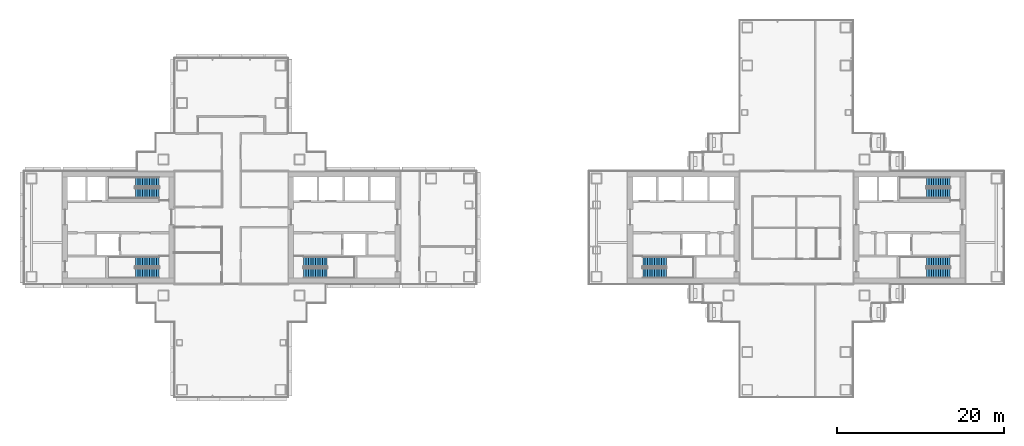
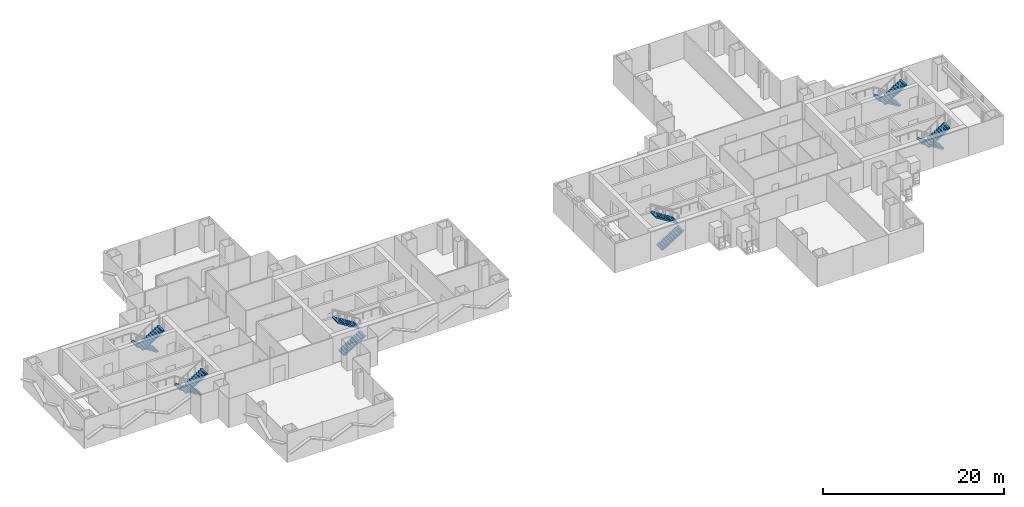
# One storey, part 15 of 19: 12 stair flights, 6 elements without a shape of their own.
"""IFC4 building model written with IfcOpenShell, lengths in metres."""

from ifc_helpers import new_model, si_unit, direction, frame, origin, place, context, subcontext, project, spatial, polyline, outline, extrude, material, type_object, element, aggregate, save


model = new_model("IFC4")

# Units and contexts
model_context = context("Model", 3, precision=1e-05, world=origin(), true_north=direction((0.0, 1.0)))
body_context = subcontext(model_context, "Body", "Model", "MODEL_VIEW")
ifc_project = project(units=[si_unit("LENGTHUNIT", "METRE"), si_unit("AREAUNIT", "SQUARE_METRE"), si_unit("VOLUMEUNIT", "CUBIC_METRE"), si_unit("PLANEANGLEUNIT", "RADIAN"), si_unit("MASSUNIT", "GRAM", prefix="KILO")], contexts=[model_context])

# Site, building, storey
site_placement = place(None, origin())
site = spatial("IfcSite", under=ifc_project, at=site_placement, CompositionType="ELEMENT")
building_placement = place(site_placement, origin())
building = spatial("IfcBuilding", under=site, at=building_placement, Name="Shamsa Quay Exchange Towers", CompositionType="ELEMENT")
storey_placement = place(building_placement, frame((0.0, 0.0, 97.5)))
storey = spatial("IfcBuildingStorey", under=building, at=storey_placement, Name="L22", CompositionType="ELEMENT", Elevation=97.5)

# Stair, stair flights
ifc_material = material(Name="Concrete C40/50", Category="concrete")
stair_type = type_object("IfcStairType", Name="EXIT STAIR 22 RISERS 177 MM", PredefinedType="HALF_TURN_STAIR", material=ifc_material)
stair_1_placement = place(storey_placement, origin())
stair_1 = element("IfcStair", 1, at=stair_1_placement, inside=storey, type_object=stair_type, Name="L22 Exit stair ST1", PredefinedType="HALF_TURN_STAIR")
stair_flight_type = type_object("IfcStairFlightType", Name="EXIT STAIR FLIGHT 11 RISERS 177 MM", PredefinedType="STRAIGHT", material=ifc_material)
stair_flight_1_placement = place(storey_placement, frame((-25.10009765625, -5.449951171875, 0.0)))
stair_flight_1 = element("IfcStairFlight", 2, at=stair_flight_1_placement, type_object=stair_flight_type, Name="ST1 flight 1", NumberOfRisers=11, NumberOfTreads=10, PredefinedType="STRAIGHT", RiserHeight=0.177272727, TreadLength=0.28, context=body_context, shape_type="SweptSolid", body=[
    extrude(outline(polyline([(0.0, 0.0), (0.0, 0.17724609375), (0.280029296875, 0.17724609375), (0.280029296875, 0.3544921875), (0.56005859375, 0.3544921875), (0.56005859375, 0.53173828125), (0.840087890625, 0.53173828125), (0.840087890625, 0.708984375), (1.1201171875, 0.708984375), (1.1201171875, 0.886474609375), (1.39990234375, 0.886474609375), (1.39990234375, 1.063720703125), (1.679931640625, 1.063720703125), (1.679931640625, 1.240966796875), (1.9599609375, 1.240966796875), (1.9599609375, 1.418212890625), (2.239990234375, 1.418212890625), (2.239990234375, 1.595458984375), (2.52001953125, 1.595458984375), (2.52001953125, 1.772705078125), (2.800048828125, 1.772705078125), (2.800048828125, 1.949951171875), (2.800048828125, 1.607177734375), (0.261474609375, 0.0), (0.0, 0.0)])), frame((0.0, 0.60009765625, 0.0), z_axis=(0.0, -1.0, 0.0), x_axis=(1.0, 0.0, 0.0)), (0.0, 0.0, 1.0), 1.199951171875),
])
stair_flight_2_placement = place(storey_placement, frame((-22.300048828125, -4.10009765625, 1.949951171875), z_axis=(0.0, 0.0, 1.0), x_axis=(-1.0, 0.0, 0.0)))
stair_flight_2 = element("IfcStairFlight", 3, at=stair_flight_2_placement, type_object=stair_flight_type, Name="ST1 flight 2", NumberOfRisers=11, NumberOfTreads=10, PredefinedType="STRAIGHT", RiserHeight=0.177272727, TreadLength=0.28, context=body_context, shape_type="SweptSolid", body=[
    extrude(outline(polyline([(0.0, 0.0), (0.0, 0.17724609375), (0.280029296875, 0.17724609375), (0.280029296875, 0.3544921875), (0.56005859375, 0.3544921875), (0.56005859375, 0.53173828125), (0.840087890625, 0.53173828125), (0.840087890625, 0.708984375), (1.1201171875, 0.708984375), (1.1201171875, 0.886474609375), (1.39990234375, 0.886474609375), (1.39990234375, 1.063720703125), (1.679931640625, 1.063720703125), (1.679931640625, 1.240966796875), (1.9599609375, 1.240966796875), (1.9599609375, 1.418212890625), (2.239990234375, 1.418212890625), (2.239990234375, 1.595458984375), (2.52001953125, 1.595458984375), (2.52001953125, 1.772705078125), (2.800048828125, 1.772705078125), (2.800048828125, 1.949951171875), (2.800048828125, 1.607177734375), (0.261474609375, 0.0), (0.0, 0.0)])), frame((0.0, 0.60009765625, 0.0), z_axis=(0.0, -1.0, 0.0), x_axis=(1.0, 0.0, 0.0)), (0.0, 0.0, 1.0), 1.199951171875),
])
aggregate(stair_1, [stair_flight_1, stair_flight_2])

stair_2_placement = place(storey_placement, origin())
stair_2 = element("IfcStair", 4, at=stair_2_placement, inside=storey, type_object=stair_type, Name="L22 Exit stair ST2", PredefinedType="HALF_TURN_STAIR")
stair_flight_3_placement = place(storey_placement, frame((-42.39990234375, -4.10009765625, 0.0), z_axis=(0.0, 0.0, 1.0), x_axis=(-1.0, 0.0, 0.0)))
stair_flight_3 = element("IfcStairFlight", 5, at=stair_flight_3_placement, type_object=stair_flight_type, Name="ST2 flight 1", NumberOfRisers=11, NumberOfTreads=10, PredefinedType="STRAIGHT", RiserHeight=0.177272727, TreadLength=0.28, context=body_context, shape_type="SweptSolid", body=[
    extrude(outline(polyline([(0.0, 0.0), (0.0, 0.17724609375), (0.280029296875, 0.17724609375), (0.280029296875, 0.3544921875), (0.56005859375, 0.3544921875), (0.56005859375, 0.53173828125), (0.840087890625, 0.53173828125), (0.840087890625, 0.708984375), (1.1201171875, 0.708984375), (1.1201171875, 0.886474609375), (1.39990234375, 0.886474609375), (1.39990234375, 1.063720703125), (1.679931640625, 1.063720703125), (1.679931640625, 1.240966796875), (1.9599609375, 1.240966796875), (1.9599609375, 1.418212890625), (2.239990234375, 1.418212890625), (2.239990234375, 1.595458984375), (2.52001953125, 1.595458984375), (2.52001953125, 1.772705078125), (2.800048828125, 1.772705078125), (2.800048828125, 1.949951171875), (2.800048828125, 1.607177734375), (0.261474609375, 0.0), (0.0, 0.0)])), frame((0.0, 0.60009765625, 0.0), z_axis=(0.0, -1.0, 0.0), x_axis=(1.0, 0.0, 0.0)), (0.0, 0.0, 1.0), 1.199951171875),
])
stair_flight_4_placement = place(storey_placement, frame((-45.199951171875, -5.449951171875, 1.949951171875)))
stair_flight_4 = element("IfcStairFlight", 6, at=stair_flight_4_placement, type_object=stair_flight_type, Name="ST2 flight 2", NumberOfRisers=11, NumberOfTreads=10, PredefinedType="STRAIGHT", RiserHeight=0.177272727, TreadLength=0.28, context=body_context, shape_type="SweptSolid", body=[
    extrude(outline(polyline([(0.0, 0.0), (0.0, 0.17724609375), (0.280029296875, 0.17724609375), (0.280029296875, 0.3544921875), (0.56005859375, 0.3544921875), (0.56005859375, 0.53173828125), (0.840087890625, 0.53173828125), (0.840087890625, 0.708984375), (1.1201171875, 0.708984375), (1.1201171875, 0.886474609375), (1.39990234375, 0.886474609375), (1.39990234375, 1.063720703125), (1.679931640625, 1.063720703125), (1.679931640625, 1.240966796875), (1.9599609375, 1.240966796875), (1.9599609375, 1.418212890625), (2.239990234375, 1.418212890625), (2.239990234375, 1.595458984375), (2.52001953125, 1.595458984375), (2.52001953125, 1.772705078125), (2.800048828125, 1.772705078125), (2.800048828125, 1.949951171875), (2.800048828125, 1.607177734375), (0.261474609375, 0.0), (0.0, 0.0)])), frame((0.0, 0.60009765625, 0.0), z_axis=(0.0, -1.0, 0.0), x_axis=(1.0, 0.0, 0.0)), (0.0, 0.0, 1.0), 1.199951171875),
])
aggregate(stair_2, [stair_flight_3, stair_flight_4])

stair_3_placement = place(storey_placement, origin())
stair_3 = element("IfcStair", 7, at=stair_3_placement, inside=storey, type_object=stair_type, Name="L22 Exit stair ST3", PredefinedType="HALF_TURN_STAIR")
stair_flight_5_placement = place(storey_placement, frame((-42.39990234375, 5.449951171875, 0.0), z_axis=(0.0, 0.0, 1.0), x_axis=(-1.0, 0.0, 0.0)))
stair_flight_5 = element("IfcStairFlight", 8, at=stair_flight_5_placement, type_object=stair_flight_type, Name="ST3 flight 1", NumberOfRisers=11, NumberOfTreads=10, PredefinedType="STRAIGHT", RiserHeight=0.177272727, TreadLength=0.28, context=body_context, shape_type="SweptSolid", body=[
    extrude(outline(polyline([(0.0, 0.0), (0.0, 0.17724609375), (0.280029296875, 0.17724609375), (0.280029296875, 0.3544921875), (0.56005859375, 0.3544921875), (0.56005859375, 0.53173828125), (0.840087890625, 0.53173828125), (0.840087890625, 0.708984375), (1.1201171875, 0.708984375), (1.1201171875, 0.886474609375), (1.39990234375, 0.886474609375), (1.39990234375, 1.063720703125), (1.679931640625, 1.063720703125), (1.679931640625, 1.240966796875), (1.9599609375, 1.240966796875), (1.9599609375, 1.418212890625), (2.239990234375, 1.418212890625), (2.239990234375, 1.595458984375), (2.52001953125, 1.595458984375), (2.52001953125, 1.772705078125), (2.800048828125, 1.772705078125), (2.800048828125, 1.949951171875), (2.800048828125, 1.607177734375), (0.261474609375, 0.0), (0.0, 0.0)])), frame((0.0, 0.60009765625, 0.0), z_axis=(0.0, -1.0, 0.0), x_axis=(1.0, 0.0, 0.0)), (0.0, 0.0, 1.0), 1.199951171875),
])
stair_flight_6_placement = place(storey_placement, frame((-45.199951171875, 4.10009765625, 1.949951171875)))
stair_flight_6 = element("IfcStairFlight", 9, at=stair_flight_6_placement, type_object=stair_flight_type, Name="ST3 flight 2", NumberOfRisers=11, NumberOfTreads=10, PredefinedType="STRAIGHT", RiserHeight=0.177272727, TreadLength=0.28, context=body_context, shape_type="SweptSolid", body=[
    extrude(outline(polyline([(0.0, 0.0), (0.0, 0.17724609375), (0.280029296875, 0.17724609375), (0.280029296875, 0.3544921875), (0.56005859375, 0.3544921875), (0.56005859375, 0.53173828125), (0.840087890625, 0.53173828125), (0.840087890625, 0.708984375), (1.1201171875, 0.708984375), (1.1201171875, 0.886474609375), (1.39990234375, 0.886474609375), (1.39990234375, 1.063720703125), (1.679931640625, 1.063720703125), (1.679931640625, 1.240966796875), (1.9599609375, 1.240966796875), (1.9599609375, 1.418212890625), (2.239990234375, 1.418212890625), (2.239990234375, 1.595458984375), (2.52001953125, 1.595458984375), (2.52001953125, 1.772705078125), (2.800048828125, 1.772705078125), (2.800048828125, 1.949951171875), (2.800048828125, 1.607177734375), (0.261474609375, 0.0), (0.0, 0.0)])), frame((0.0, 0.60009765625, 0.0), z_axis=(0.0, -1.0, 0.0), x_axis=(1.0, 0.0, 0.0)), (0.0, 0.0, 1.0), 1.199951171875),
])
aggregate(stair_3, [stair_flight_5, stair_flight_6])

stair_4_placement = place(storey_placement, origin())
stair_4 = element("IfcStair", 10, at=stair_4_placement, inside=storey, type_object=stair_type, Name="L22 Exit stair ST4", PredefinedType="HALF_TURN_STAIR")
stair_flight_7_placement = place(storey_placement, frame((15.39990234375, -5.449951171875, 0.0)))
stair_flight_7 = element("IfcStairFlight", 11, at=stair_flight_7_placement, type_object=stair_flight_type, Name="ST4 flight 1", NumberOfRisers=11, NumberOfTreads=10, PredefinedType="STRAIGHT", RiserHeight=0.177272727, TreadLength=0.28, context=body_context, shape_type="SweptSolid", body=[
    extrude(outline(polyline([(0.0, 0.0), (0.0, 0.17724609375), (0.280029296875, 0.17724609375), (0.280029296875, 0.3544921875), (0.56005859375, 0.3544921875), (0.56005859375, 0.53173828125), (0.840087890625, 0.53173828125), (0.840087890625, 0.708984375), (1.1201171875, 0.708984375), (1.1201171875, 0.886474609375), (1.39990234375, 0.886474609375), (1.39990234375, 1.063720703125), (1.679931640625, 1.063720703125), (1.679931640625, 1.240966796875), (1.9599609375, 1.240966796875), (1.9599609375, 1.418212890625), (2.239990234375, 1.418212890625), (2.239990234375, 1.595458984375), (2.52001953125, 1.595458984375), (2.52001953125, 1.772705078125), (2.800048828125, 1.772705078125), (2.800048828125, 1.949951171875), (2.800048828125, 1.607177734375), (0.261474609375, 0.0), (0.0, 0.0)])), frame((0.0, 0.60009765625, 0.0), z_axis=(0.0, -1.0, 0.0), x_axis=(1.0, 0.0, 0.0)), (0.0, 0.0, 1.0), 1.199951171875),
])
stair_flight_8_placement = place(storey_placement, frame((18.199951171875, -4.10009765625, 1.949951171875), z_axis=(0.0, 0.0, 1.0), x_axis=(-1.0, 0.0, 0.0)))
stair_flight_8 = element("IfcStairFlight", 12, at=stair_flight_8_placement, type_object=stair_flight_type, Name="ST4 flight 2", NumberOfRisers=11, NumberOfTreads=10, PredefinedType="STRAIGHT", RiserHeight=0.177272727, TreadLength=0.28, context=body_context, shape_type="SweptSolid", body=[
    extrude(outline(polyline([(0.0, 0.0), (0.0, 0.17724609375), (0.280029296875, 0.17724609375), (0.280029296875, 0.3544921875), (0.56005859375, 0.3544921875), (0.56005859375, 0.53173828125), (0.840087890625, 0.53173828125), (0.840087890625, 0.708984375), (1.1201171875, 0.708984375), (1.1201171875, 0.886474609375), (1.39990234375, 0.886474609375), (1.39990234375, 1.063720703125), (1.679931640625, 1.063720703125), (1.679931640625, 1.240966796875), (1.9599609375, 1.240966796875), (1.9599609375, 1.418212890625), (2.239990234375, 1.418212890625), (2.239990234375, 1.595458984375), (2.52001953125, 1.595458984375), (2.52001953125, 1.772705078125), (2.800048828125, 1.772705078125), (2.800048828125, 1.949951171875), (2.800048828125, 1.607177734375), (0.261474609375, 0.0), (0.0, 0.0)])), frame((0.0, 0.60009765625, 0.0), z_axis=(0.0, -1.0, 0.0), x_axis=(1.0, 0.0, 0.0)), (0.0, 0.0, 1.0), 1.199951171875),
])
aggregate(stair_4, [stair_flight_7, stair_flight_8])

stair_5_placement = place(storey_placement, origin())
stair_5 = element("IfcStair", 13, at=stair_5_placement, inside=storey, type_object=stair_type, Name="L22 Exit stair ST5", PredefinedType="HALF_TURN_STAIR")
stair_flight_9_placement = place(storey_placement, frame((52.10009765625, -4.10009765625, 0.0), z_axis=(0.0, 0.0, 1.0), x_axis=(-1.0, 0.0, 0.0)))
stair_flight_9 = element("IfcStairFlight", 14, at=stair_flight_9_placement, type_object=stair_flight_type, Name="ST5 flight 1", NumberOfRisers=11, NumberOfTreads=10, PredefinedType="STRAIGHT", RiserHeight=0.177272727, TreadLength=0.28, context=body_context, shape_type="SweptSolid", body=[
    extrude(outline(polyline([(0.0, 0.0), (0.0, 0.17724609375), (0.280029296875, 0.17724609375), (0.280029296875, 0.3544921875), (0.56005859375, 0.3544921875), (0.56005859375, 0.53173828125), (0.840087890625, 0.53173828125), (0.840087890625, 0.708984375), (1.1201171875, 0.708984375), (1.1201171875, 0.886474609375), (1.39990234375, 0.886474609375), (1.39990234375, 1.063720703125), (1.679931640625, 1.063720703125), (1.679931640625, 1.240966796875), (1.9599609375, 1.240966796875), (1.9599609375, 1.418212890625), (2.239990234375, 1.418212890625), (2.239990234375, 1.595458984375), (2.52001953125, 1.595458984375), (2.52001953125, 1.772705078125), (2.800048828125, 1.772705078125), (2.800048828125, 1.949951171875), (2.800048828125, 1.607177734375), (0.261474609375, 0.0), (0.0, 0.0)])), frame((0.0, 0.60009765625, 0.0), z_axis=(0.0, -1.0, 0.0), x_axis=(1.0, 0.0, 0.0)), (0.0, 0.0, 1.0), 1.199951171875),
])
stair_flight_10_placement = place(storey_placement, frame((49.300048828125, -5.449951171875, 1.949951171875)))
stair_flight_10 = element("IfcStairFlight", 15, at=stair_flight_10_placement, type_object=stair_flight_type, Name="ST5 flight 2", NumberOfRisers=11, NumberOfTreads=10, PredefinedType="STRAIGHT", RiserHeight=0.177272727, TreadLength=0.28, context=body_context, shape_type="SweptSolid", body=[
    extrude(outline(polyline([(0.0, 0.0), (0.0, 0.17724609375), (0.280029296875, 0.17724609375), (0.280029296875, 0.3544921875), (0.56005859375, 0.3544921875), (0.56005859375, 0.53173828125), (0.840087890625, 0.53173828125), (0.840087890625, 0.708984375), (1.1201171875, 0.708984375), (1.1201171875, 0.886474609375), (1.39990234375, 0.886474609375), (1.39990234375, 1.063720703125), (1.679931640625, 1.063720703125), (1.679931640625, 1.240966796875), (1.9599609375, 1.240966796875), (1.9599609375, 1.418212890625), (2.239990234375, 1.418212890625), (2.239990234375, 1.595458984375), (2.52001953125, 1.595458984375), (2.52001953125, 1.772705078125), (2.800048828125, 1.772705078125), (2.800048828125, 1.949951171875), (2.800048828125, 1.607177734375), (0.261474609375, 0.0), (0.0, 0.0)])), frame((0.0, 0.60009765625, 0.0), z_axis=(0.0, -1.0, 0.0), x_axis=(1.0, 0.0, 0.0)), (0.0, 0.0, 1.0), 1.199951171875),
])
aggregate(stair_5, [stair_flight_9, stair_flight_10])

stair_6_placement = place(storey_placement, origin())
stair_6 = element("IfcStair", 16, at=stair_6_placement, inside=storey, type_object=stair_type, Name="L22 Exit stair ST6", PredefinedType="HALF_TURN_STAIR")
stair_flight_11_placement = place(storey_placement, frame((52.10009765625, 5.449951171875, 0.0), z_axis=(0.0, 0.0, 1.0), x_axis=(-1.0, 0.0, 0.0)))
stair_flight_11 = element("IfcStairFlight", 17, at=stair_flight_11_placement, type_object=stair_flight_type, Name="ST6 flight 1", NumberOfRisers=11, NumberOfTreads=10, PredefinedType="STRAIGHT", RiserHeight=0.177272727, TreadLength=0.28, context=body_context, shape_type="SweptSolid", body=[
    extrude(outline(polyline([(0.0, 0.0), (0.0, 0.17724609375), (0.280029296875, 0.17724609375), (0.280029296875, 0.3544921875), (0.56005859375, 0.3544921875), (0.56005859375, 0.53173828125), (0.840087890625, 0.53173828125), (0.840087890625, 0.708984375), (1.1201171875, 0.708984375), (1.1201171875, 0.886474609375), (1.39990234375, 0.886474609375), (1.39990234375, 1.063720703125), (1.679931640625, 1.063720703125), (1.679931640625, 1.240966796875), (1.9599609375, 1.240966796875), (1.9599609375, 1.418212890625), (2.239990234375, 1.418212890625), (2.239990234375, 1.595458984375), (2.52001953125, 1.595458984375), (2.52001953125, 1.772705078125), (2.800048828125, 1.772705078125), (2.800048828125, 1.949951171875), (2.800048828125, 1.607177734375), (0.261474609375, 0.0), (0.0, 0.0)])), frame((0.0, 0.60009765625, 0.0), z_axis=(0.0, -1.0, 0.0), x_axis=(1.0, 0.0, 0.0)), (0.0, 0.0, 1.0), 1.199951171875),
])
stair_flight_12_placement = place(storey_placement, frame((49.300048828125, 4.10009765625, 1.949951171875)))
stair_flight_12 = element("IfcStairFlight", 18, at=stair_flight_12_placement, type_object=stair_flight_type, Name="ST6 flight 2", NumberOfRisers=11, NumberOfTreads=10, PredefinedType="STRAIGHT", RiserHeight=0.177272727, TreadLength=0.28, context=body_context, shape_type="SweptSolid", body=[
    extrude(outline(polyline([(0.0, 0.0), (0.0, 0.17724609375), (0.280029296875, 0.17724609375), (0.280029296875, 0.3544921875), (0.56005859375, 0.3544921875), (0.56005859375, 0.53173828125), (0.840087890625, 0.53173828125), (0.840087890625, 0.708984375), (1.1201171875, 0.708984375), (1.1201171875, 0.886474609375), (1.39990234375, 0.886474609375), (1.39990234375, 1.063720703125), (1.679931640625, 1.063720703125), (1.679931640625, 1.240966796875), (1.9599609375, 1.240966796875), (1.9599609375, 1.418212890625), (2.239990234375, 1.418212890625), (2.239990234375, 1.595458984375), (2.52001953125, 1.595458984375), (2.52001953125, 1.772705078125), (2.800048828125, 1.772705078125), (2.800048828125, 1.949951171875), (2.800048828125, 1.607177734375), (0.261474609375, 0.0), (0.0, 0.0)])), frame((0.0, 0.60009765625, 0.0), z_axis=(0.0, -1.0, 0.0), x_axis=(1.0, 0.0, 0.0)), (0.0, 0.0, 1.0), 1.199951171875),
])
aggregate(stair_6, [stair_flight_11, stair_flight_12])

save(model, "model.ifc")
